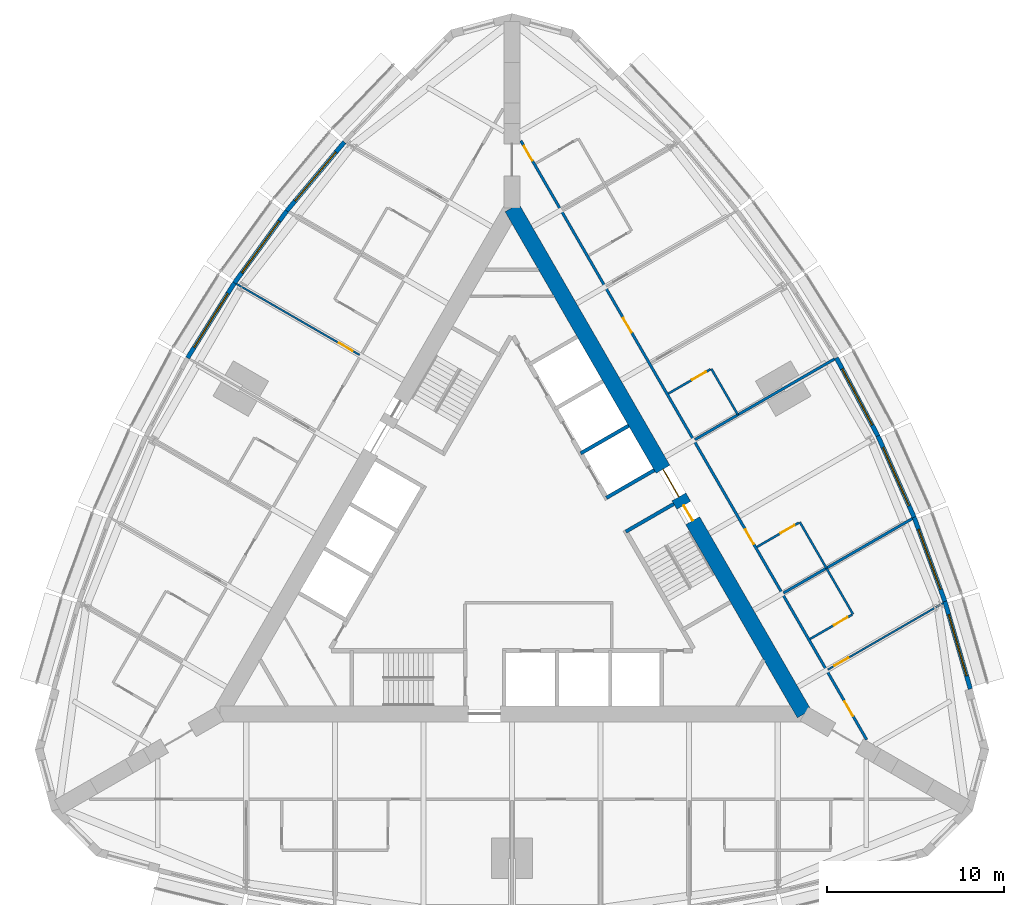
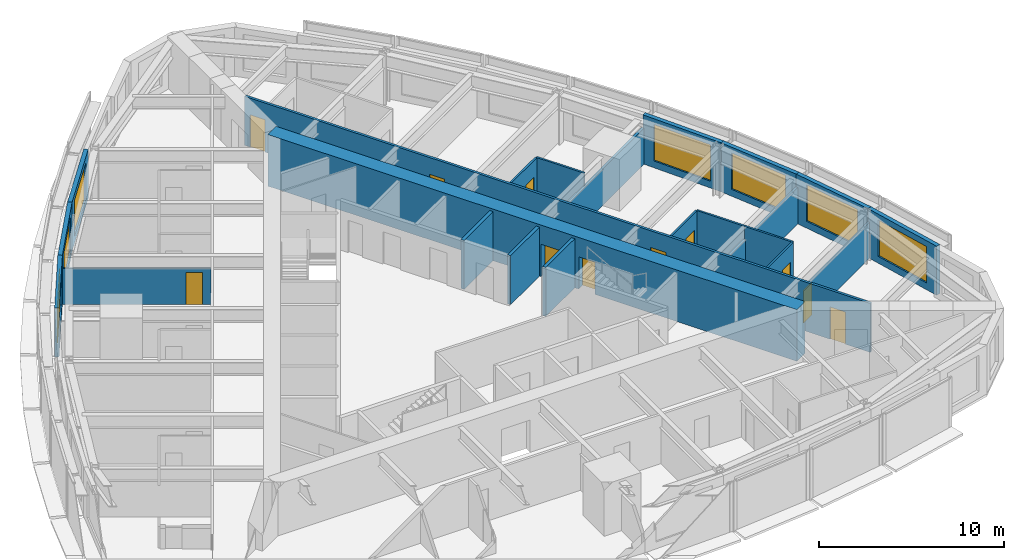
# One storey, part 11 of 14: 22 walls, 11 doors, 7 windows, 18 openings.
"""IFC4 building model written with IfcOpenShell, lengths in metres."""

import ifcopenshell
import ifcopenshell.guid

model = None  # the IFC model being written
_history = None  # IfcOwnerHistory: only IFC2X3 demands one
_inside = {}  # id of a spatial element -> (the spatial element, [elements in it])
_under = {}  # id of a project, library or spatial element -> (it, [spatial elements below it])
_declared = {}  # id of a project -> (the project, [libraries it declares])
_typed = {}  # id of a type object -> (the type object, [elements of that type])
_made_of = {}  # id of a material, layer set ... -> (it, [elements and type objects made of it])


def new_model(schema):
    """Start an empty IFC model of exactly this schema.

    Asked for "IFC4X3", IfcOpenShell would pick the latest addendum, in which some entities
    have other attributes; the version numbers below select the first issue.
    IFC2X3 requires an IfcOwnerHistory on every rooted entity: one is made here for all.
    """
    global model, _history
    if schema == "IFC4X3":
        model = ifcopenshell.file(schema_version=(4, 3, 0, 0))
    else:
        model = ifcopenshell.file(schema=schema)
    _inside.clear()
    _under.clear()
    _declared.clear()
    _typed.clear()
    _made_of.clear()
    _history = None
    if model.schema == "IFC2X3":
        org = make("IfcOrganization", Name="unknown")
        user = make(
            "IfcPersonAndOrganization",
            ThePerson=make("IfcPerson", FamilyName="unknown"),
            TheOrganization=org,
        )
        app = make(
            "IfcApplication",
            ApplicationDeveloper=org,
            Version="unknown",
            ApplicationFullName="unknown",
            ApplicationIdentifier="unknown",
        )
        _history = make(
            "IfcOwnerHistory",
            OwningUser=user,
            OwningApplication=app,
            ChangeAction="ADDED",
            CreationDate=0,
        )
    return model


def make(cls, **values):
    """One entity of the class cls with the attributes given. An attribute that is None is left unset."""
    return model.create_entity(
        cls, **{name: value for name, value in values.items() if value is not None}
    )


def rooted(cls, **values):
    """An entity with a GlobalId (a new one), such as an element, a storey or a relation."""
    return make(cls, GlobalId=ifcopenshell.guid.new(), OwnerHistory=_history, **values)


def si_unit(unit_type, name, prefix=None):
    """IfcSIUnit, for example si_unit("LENGTHUNIT", "METRE", prefix="MILLI")."""
    return make("IfcSIUnit", UnitType=unit_type, Prefix=prefix, Name=name)


def assignment(units):
    """IfcUnitAssignment: the units of a project."""
    return None if units is None else make("IfcUnitAssignment", Units=units)


def point(xyz):
    """IfcCartesianPoint."""
    return None if xyz is None else make("IfcCartesianPoint", Coordinates=xyz)


def direction(xyz):
    """IfcDirection."""
    return None if xyz is None else make("IfcDirection", DirectionRatios=xyz)


def frame(location, z_axis=None, x_axis=None):
    """IfcAxis2Placement3D, a coordinate frame: its origin and axes. An axis left out is left unset."""
    return make(
        "IfcAxis2Placement3D",
        Location=point(location),
        Axis=direction(z_axis),
        RefDirection=direction(x_axis),
    )


def frame_2d(location, x_axis=None):
    """IfcAxis2Placement2D, a coordinate frame in the plane: its origin and x axis."""
    return make(
        "IfcAxis2Placement2D", Location=point(location), RefDirection=direction(x_axis)
    )


def origin():
    """The frame at (0, 0, 0) with its axes left unset."""
    return frame((0.0, 0.0, 0.0))


def place(relative_to, where):
    """IfcLocalPlacement: puts the frame where relative to a parent placement (None: the world)."""
    return make(
        "IfcLocalPlacement", PlacementRelTo=relative_to, RelativePlacement=where
    )


def context(
    kind, dimensions, precision=None, world=None, true_north=None, identifier=None
):
    """IfcGeometricRepresentationContext, for example the 3D "Model" context."""
    return make(
        "IfcGeometricRepresentationContext",
        ContextIdentifier=identifier,
        ContextType=kind,
        CoordinateSpaceDimension=dimensions,
        Precision=precision,
        WorldCoordinateSystem=world,
        TrueNorth=true_north,
    )


def subcontext(parent, identifier, kind, view, scale=None):
    """IfcGeometricRepresentationSubContext, for example "Body" below "Model"."""
    return make(
        "IfcGeometricRepresentationSubContext",
        ContextIdentifier=identifier,
        ContextType=kind,
        ParentContext=parent,
        TargetScale=scale,
        TargetView=view,
    )


def project(units=None, contexts=None):
    """IfcProject with its units and contexts."""
    return rooted(
        "IfcProject",
        Name="project",
        RepresentationContexts=contexts,
        UnitsInContext=assignment(units),
    )


def spatial(cls, under=None, at=None, **own):
    """A site, building, storey or space (cls), placed at a placement, below another one or the project."""
    s = rooted(cls, ObjectPlacement=at, **own)
    if under is not None:
        _under.setdefault(under.id(), (under, []))[1].append(s)
    return s


def profile(cls, at=None, kind="AREA", **sizes):
    """A parametric profile (cls). Its sizes go by their IFC names, for example OverallWidth=200.0."""
    return make(cls, ProfileType=kind, Position=at, **sizes)


def rectangle(**sizes):
    """IfcRectangleProfileDef."""
    return profile("IfcRectangleProfileDef", **sizes)


def extrude(swept, where, along, depth):
    """IfcExtrudedAreaSolid: the profile swept, set in the frame where, extruded along a direction by depth."""
    return make(
        "IfcExtrudedAreaSolid",
        SweptArea=swept,
        Position=where,
        ExtrudedDirection=direction(along),
        Depth=depth,
    )


def shape(context_of_items, identifier, shape_type, items):
    """IfcShapeRepresentation: the items that make up one representation, for example the "Body"."""
    return make(
        "IfcShapeRepresentation",
        ContextOfItems=context_of_items,
        RepresentationIdentifier=identifier,
        RepresentationType=shape_type,
        Items=items,
    )


def material(Name=None, Category=None):
    """IfcMaterial."""
    return make("IfcMaterial", Name=Name, Category=Category)


def layer(
    of_material, thickness, ventilated=None, Name=None, Category=None, Priority=None
):
    """IfcMaterialLayer: one layer of a wall or slab, of a material (None: an air gap)."""
    return make(
        "IfcMaterialLayer",
        Material=of_material,
        LayerThickness=thickness,
        IsVentilated=ventilated,
        Name=Name,
        Category=Category,
        Priority=Priority,
    )


def layer_set(layers, Name=None):
    """IfcMaterialLayerSet."""
    return make("IfcMaterialLayerSet", MaterialLayers=layers, LayerSetName=Name)


def made_of(thing, what):
    """Note that an element or type object is made of a material, layer set ...; save() writes the relation."""
    if what is not None:
        _made_of.setdefault(what.id(), (what, []))[1].append(thing)
    return thing


def type_object(cls, material=None, **own):
    """A type object (cls), such as IfcWallType, which elements share."""
    return made_of(rooted(cls, **own), material)


def element(
    cls,
    number,
    at=None,
    inside=None,
    cuts=None,
    type_object=None,
    material=None,
    context=None,
    identifier="Body",
    shape_type=None,
    held_by="IfcProductDefinitionShape",
    body=None,
    shapes=None,
    **own,
):
    """One element of the class cls, such as IfcWall. Its Tag is "e" and its number.

    at: its placement. inside: the storey or other place that contains it. cuts: it is an
    opening in that element (IfcRelVoidsElement). A single representation is given by context,
    identifier, shape_type and body (its items); several are given by shapes. held_by: the class
    of the entity that holds the representations. save() writes the other relations.
    """
    e = rooted(cls, Tag="e%d" % number, ObjectPlacement=at, **own)
    if body is not None:
        shapes = [shape(context, identifier, shape_type, body)]
    if shapes is not None:
        e.Representation = make(held_by, Representations=shapes)
    if inside is not None:
        _inside.setdefault(inside.id(), (inside, []))[1].append(e)
    if cuts is not None:
        rooted(
            "IfcRelVoidsElement", RelatingBuildingElement=cuts, RelatedOpeningElement=e
        )
    if type_object is not None:
        _typed.setdefault(type_object.id(), (type_object, []))[1].append(e)
    return made_of(e, material)


def fill(opening, filler):
    """IfcRelFillsElement: the door or window that sits in an opening."""
    return rooted(
        "IfcRelFillsElement",
        RelatingOpeningElement=opening,
        RelatedBuildingElement=filler,
    )


def aggregate(whole, parts):
    """IfcRelAggregates: a whole, such as a stair, and the parts it consists of."""
    return rooted("IfcRelAggregates", RelatingObject=whole, RelatedObjects=parts)


def save(model, path):
    """Write the relations noted so far, then the file.

    IfcRelAggregates (storeys below a building ...), IfcRelContainedInSpatialStructure (elements
    in a storey), IfcRelDefinesByType, IfcRelAssociatesMaterial and IfcRelDeclares: one each for
    every whole, place, type object, material and project.
    """
    for whole, parts in _under.values():
        aggregate(whole, parts)
    for where, things in _inside.values():
        rooted(
            "IfcRelContainedInSpatialStructure",
            RelatedElements=things,
            RelatingStructure=where,
        )
    for kind, things in _typed.values():
        rooted("IfcRelDefinesByType", RelatedObjects=things, RelatingType=kind)
    for what, things in _made_of.values():
        rooted("IfcRelAssociatesMaterial", RelatedObjects=things, RelatingMaterial=what)
    for by, libraries in _declared.values():
        rooted("IfcRelDeclares", RelatingContext=by, RelatedDefinitions=libraries)
    model.write(path)


model = new_model("IFC4")

# Units and contexts
model_context = context("Model", 3, precision=1e-05, world=origin(), true_north=direction((0.0, 1.0)))
body_context = subcontext(model_context, "Body", "Model", "MODEL_VIEW")
ifc_project = project(units=[si_unit("LENGTHUNIT", "METRE"), si_unit("AREAUNIT", "SQUARE_METRE"), si_unit("VOLUMEUNIT", "CUBIC_METRE"), si_unit("PLANEANGLEUNIT", "RADIAN"), si_unit("MASSUNIT", "GRAM", prefix="KILO")], contexts=[model_context])

# Site, building, storey
site_placement = place(None, origin())
site = spatial("IfcSite", under=ifc_project, at=site_placement, CompositionType="ELEMENT")
building_placement = place(site_placement, origin())
building = spatial("IfcBuilding", under=site, at=building_placement, Name="Trikona Tower", CompositionType="ELEMENT")
storey_placement = place(building_placement, frame((0.0, 0.0, 182.699951171875)))
storey = spatial("IfcBuildingStorey", under=building, at=storey_placement, Name="L49", CompositionType="ELEMENT", Elevation=182.699951171875)

# Wall
ifc_material_1 = material(Name="Metal stud and cement board", Category="gypsum")
ifc_layer_1 = layer(ifc_material_1, 0.1201171875)
ifc_layer_set_1 = layer_set([ifc_layer_1], Name="Bathroom wall 120")
wall_type_1 = type_object("IfcWallType", Name="Bathroom wall 120", PredefinedType="PLUMBINGWALL", material=ifc_layer_set_1)
wall_1_placement = place(storey_placement, frame((19.25341796875, -3.895263671875, 0.0), z_axis=(0.0, 0.0, 1.0), x_axis=(-0.499990139034, 0.866031096941, 0.0)))
element("IfcWall", 1, at=wall_1_placement, inside=storey, type_object=wall_type_1, Name="Bathroom wall 4905.1", PredefinedType="PLUMBINGWALL", context=body_context, shape_type="SweptSolid", body=[
    extrude(rectangle(XDim=3.0, YDim=0.1201171875, at=frame_2d((1.5, 0.0))), origin(), (0.0, 0.0, 1.0), 3.235107421875),
])

# Wall, opening, door
wall_2_placement = place(storey_placement, frame((16.82861328125, -5.295166015625, 0.0), z_axis=(0.0, 0.0, 1.0), x_axis=(0.866035715982, 0.499982138324, 0.0)))
wall_2 = element("IfcWall", 2, at=wall_2_placement, inside=storey, type_object=wall_type_1, Name="Bathroom wall 4905.1", PredefinedType="PLUMBINGWALL", context=body_context, shape_type="SweptSolid", body=[
    extrude(rectangle(XDim=2.73974609375, YDim=0.1201171875, at=frame_2d((1.369873046875, 0.0))), origin(), (0.0, 0.0, 1.0), 3.235107421875),
])
opening_1_placement = place(wall_2_placement, frame((1.550048828125, 0.0, 0.0)))
opening_1 = element("IfcOpeningElement", 3, at=opening_1_placement, cuts=wall_2, Name="Opening D2", PredefinedType="OPENING", context=body_context, shape_type="SweptSolid", body=[
    extrude(rectangle(XDim=0.89990234375, YDim=2.1298828125, at=frame_2d((0.449951171875, 1.06494140625))), frame((0.0, 0.070068359375, 0.0), z_axis=(0.0, -1.0, 0.0), x_axis=(1.0, 0.0, 0.0)), (0.0, 0.0, 1.0), 0.14013671875),
])
ifc_material_2 = material(Name="Steel door frame with solid-core timber leaf", Category="steel")
door_type_1 = type_object("IfcDoorType", Name="Bathroom door 900x2130", OperationType="SLIDING_TO_LEFT", PredefinedType="DOOR", material=ifc_material_2)
door_1_placement = place(opening_1_placement, origin())
door_1 = element("IfcDoor", 4, at=door_1_placement, inside=storey, type_object=door_type_1, Name="Bathroom door 4905.1", OperationType="SLIDING_TO_LEFT", OverallHeight=2.1298828125, OverallWidth=0.89990234375, PredefinedType="DOOR", context=body_context, shape_type="SweptSolid", body=[
    extrude(rectangle(XDim=0.89990234375, YDim=2.1298828125, at=frame_2d((0.449951171875, 1.06494140625))), frame((0.0, 0.02490234375, 0.0), z_axis=(0.0, -1.0, 0.0), x_axis=(1.0, 0.0, 0.0)), (0.0, 0.0, 1.0), 0.050048828125),
])
fill(opening_1, door_1)

# Wall
wall_3_placement = place(storey_placement, frame((17.75341796875, -1.297119140625, 0.0), z_axis=(0.0, 0.0, 1.0), x_axis=(-0.499990139034, 0.866031096941, 0.0)))
element("IfcWall", 5, at=wall_3_placement, inside=storey, type_object=wall_type_1, Name="Bathroom wall 4906", PredefinedType="PLUMBINGWALL", context=body_context, shape_type="SweptSolid", body=[
    extrude(rectangle(XDim=3.0, YDim=0.1201171875, at=frame_2d((1.5, 0.0))), origin(), (0.0, 0.0, 1.0), 3.235107421875),
])

# Wall, opening, door
wall_4_placement = place(storey_placement, frame((13.82861328125, -0.09912109375, 0.0), z_axis=(0.0, 0.0, 1.0), x_axis=(0.865997131366, 0.500048966069, 0.0)))
wall_4 = element("IfcWall", 6, at=wall_4_placement, inside=storey, type_object=wall_type_1, Name="Bathroom wall 4906", PredefinedType="PLUMBINGWALL", context=body_context, shape_type="SweptSolid", body=[
    extrude(rectangle(XDim=2.739990234375, YDim=0.1201171875, at=frame_2d((1.3701171875, 0.0))), origin(), (0.0, 0.0, 1.0), 3.235107421875),
])
opening_2_placement = place(wall_4_placement, frame((1.550048828125, 0.0, 0.0)))
opening_2 = element("IfcOpeningElement", 7, at=opening_2_placement, cuts=wall_4, Name="Opening D2", PredefinedType="OPENING", context=body_context, shape_type="SweptSolid", body=[
    extrude(rectangle(XDim=0.89990234375, YDim=2.1298828125, at=frame_2d((0.449951171875, 1.06494140625))), frame((0.0, 0.070068359375, 0.0), z_axis=(0.0, -1.0, 0.0), x_axis=(1.0, 0.0, 0.0)), (0.0, 0.0, 1.0), 0.14013671875),
])
door_2_placement = place(opening_2_placement, origin())
door_2 = element("IfcDoor", 8, at=door_2_placement, inside=storey, type_object=door_type_1, Name="Bathroom door 4906", OperationType="SLIDING_TO_LEFT", OverallHeight=2.1298828125, OverallWidth=0.89990234375, PredefinedType="DOOR", context=body_context, shape_type="SweptSolid", body=[
    extrude(rectangle(XDim=0.89990234375, YDim=2.1298828125, at=frame_2d((0.449951171875, 1.06494140625))), frame((0.0, 0.02490234375, 0.0), z_axis=(0.0, -1.0, 0.0), x_axis=(1.0, 0.0, 0.0)), (0.0, 0.0, 1.0), 0.050048828125),
])
fill(opening_2, door_2)

# Wall
wall_5_placement = place(storey_placement, frame((12.75341796875, 7.363037109375, 0.0), z_axis=(0.0, 0.0, 1.0), x_axis=(-0.499990139034, 0.866031096941, 0.0)))
element("IfcWall", 9, at=wall_5_placement, inside=storey, type_object=wall_type_1, Name="Bathroom wall 4907.1", PredefinedType="PLUMBINGWALL", context=body_context, shape_type="SweptSolid", body=[
    extrude(rectangle(XDim=3.0, YDim=0.1201171875, at=frame_2d((1.5, 0.0))), origin(), (0.0, 0.0, 1.0), 3.235107421875),
])

# Wall, opening, door
wall_6_placement = place(storey_placement, frame((8.82861328125, 8.561279296875, 0.0), z_axis=(0.0, 0.0, 1.0), x_axis=(0.866035715982, 0.499982138324, 0.0)))
wall_6 = element("IfcWall", 10, at=wall_6_placement, inside=storey, type_object=wall_type_1, Name="Bathroom wall 4907.1", PredefinedType="PLUMBINGWALL", context=body_context, shape_type="SweptSolid", body=[
    extrude(rectangle(XDim=2.73974609375, YDim=0.1201171875, at=frame_2d((1.369873046875, 0.0))), origin(), (0.0, 0.0, 1.0), 3.235107421875),
])
opening_3_placement = place(wall_6_placement, frame((1.550048828125, 0.0, 0.0)))
opening_3 = element("IfcOpeningElement", 11, at=opening_3_placement, cuts=wall_6, Name="Opening D2", PredefinedType="OPENING", context=body_context, shape_type="SweptSolid", body=[
    extrude(rectangle(XDim=0.89990234375, YDim=2.1298828125, at=frame_2d((0.449951171875, 1.06494140625))), frame((0.0, 0.070068359375, 0.0), z_axis=(0.0, -1.0, 0.0), x_axis=(1.0, 0.0, 0.0)), (0.0, 0.0, 1.0), 0.14013671875),
])
door_3_placement = place(opening_3_placement, origin())
door_3 = element("IfcDoor", 12, at=door_3_placement, inside=storey, type_object=door_type_1, Name="Bathroom door 4907.1", OperationType="SLIDING_TO_LEFT", OverallHeight=2.1298828125, OverallWidth=0.89990234375, PredefinedType="DOOR", context=body_context, shape_type="SweptSolid", body=[
    extrude(rectangle(XDim=0.89990234375, YDim=2.1298828125, at=frame_2d((0.449951171875, 1.06494140625))), frame((0.0, 0.02490234375, 0.0), z_axis=(0.0, -1.0, 0.0), x_axis=(1.0, 0.0, 0.0)), (0.0, 0.0, 1.0), 0.050048828125),
])
fill(opening_3, door_3)

# Wall, openings, doors
ifc_material_3 = material(Name="Concrete f'c 10000 psi", Category="concrete")
ifc_layer_2 = layer(ifc_material_3, 0.89990234375)
ifc_layer_set_2 = layer_set([ifc_layer_2], Name="Core wall 900")
wall_type_2 = type_object("IfcWallType", Name="Core wall 900", PredefinedType="SHEAR", material=ifc_layer_set_2)
wall_7_placement = place(storey_placement, frame((16.5, -9.5263671875, 0.0), z_axis=(0.0, 0.0, 1.0), x_axis=(-0.499999749417, 0.866025548458, 0.0)))
wall_7 = element("IfcWall", 13, at=wall_7_placement, inside=storey, type_object=wall_type_2, Name="Core wall B", PredefinedType="SHEAR", context=body_context, shape_type="SweptSolid", body=[
    extrude(rectangle(XDim=33.0, YDim=0.89990234375, at=frame_2d((16.5, 0.0))), origin(), (0.0, 0.0, 1.0), 3.400146484375),
])
opening_4_placement = place(wall_7_placement, frame((14.14990234375, 0.0, 0.0)))
opening_4 = element("IfcOpeningElement", 14, at=opening_4_placement, cuts=wall_7, Name="Opening D6", PredefinedType="OPENING", context=body_context, shape_type="SweptSolid", body=[
    extrude(rectangle(XDim=1.800048828125, YDim=2.1298828125, at=frame_2d((0.89990234375, 1.06494140625))), frame((0.0, 0.4599609375, 0.0), z_axis=(0.0, -1.0, 0.0), x_axis=(1.0, 0.0, 0.0)), (0.0, 0.0, 1.0), 0.919921875),
])
opening_5_placement = place(wall_7_placement, frame((12.60009765625, 0.0, 0.0)))
opening_5 = element("IfcOpeningElement", 15, at=opening_5_placement, cuts=wall_7, Name="Opening D5", PredefinedType="OPENING", context=body_context, shape_type="SweptSolid", body=[
    extrude(rectangle(XDim=1.0, YDim=2.1298828125, at=frame_2d((0.5, 1.06494140625))), frame((0.0, 0.4599609375, 0.0), z_axis=(0.0, -1.0, 0.0), x_axis=(1.0, 0.0, 0.0)), (0.0, 0.0, 1.0), 0.919921875),
])
ifc_material_4 = material(Name="Hollow metal door and frame", Category="steel")
door_type_2 = type_object("IfcDoorType", Name="Lobby door pair 1800x2130", OperationType="DOUBLE_DOOR_SINGLE_SWING", PredefinedType="DOOR", material=ifc_material_4)
door_4_placement = place(opening_4_placement, origin())
door_4 = element("IfcDoor", 16, at=door_4_placement, inside=storey, type_object=door_type_2, Name="Lift lobby door B", OperationType="DOUBLE_DOOR_SINGLE_SWING", OverallHeight=2.1298828125, OverallWidth=1.800048828125, PredefinedType="DOOR", context=body_context, shape_type="SweptSolid", body=[
    extrude(rectangle(XDim=1.800048828125, YDim=2.1298828125, at=frame_2d((0.89990234375, 1.06494140625))), frame((0.0, 0.02490234375, 0.0), z_axis=(0.0, -1.0, 0.0), x_axis=(1.0, 0.0, 0.0)), (0.0, 0.0, 1.0), 0.050048828125),
])
fill(opening_4, door_4)
ifc_material_5 = material(Name="Hollow metal door and frame", Category="steel")
door_type_3 = type_object("IfcDoorType", Name="Stair door 1000x2130", OperationType="SINGLE_SWING_LEFT", PredefinedType="DOOR", material=ifc_material_5)
door_5_placement = place(opening_5_placement, origin())
door_5 = element("IfcDoor", 17, at=door_5_placement, inside=storey, type_object=door_type_3, Name="Stair B door", OperationType="SINGLE_SWING_RIGHT", OverallHeight=2.1298828125, OverallWidth=1.0, PredefinedType="DOOR", context=body_context, shape_type="SweptSolid", body=[
    extrude(rectangle(XDim=1.0, YDim=2.1298828125, at=frame_2d((0.5, 1.06494140625))), frame((0.0, 0.02490234375, 0.0), z_axis=(0.0, -1.0, 0.0), x_axis=(1.0, 0.0, 0.0)), (0.0, 0.0, 1.0), 0.050048828125),
])
fill(opening_5, door_5)

ifc_material_6 = material(Name="Metal stud and gypsum board, 1-hour", Category="gypsum")
ifc_layer_3 = layer(ifc_material_6, 0.14990234375)
ifc_layer_set_3 = layer_set([ifc_layer_3], Name="Corridor wall 150")
wall_type_3 = type_object("IfcWallType", Name="Corridor wall 150", PredefinedType="PARTITIONING", material=ifc_layer_set_3)
wall_8_placement = place(storey_placement, frame((20.027099609375, -10.9853515625, 0.0), z_axis=(0.0, 0.0, 1.0), x_axis=(-0.500001677587, 0.866024435227, 0.0)))
wall_8 = element("IfcWall", 18, at=wall_8_placement, inside=storey, type_object=wall_type_3, Name="Corridor wall L49-2", PredefinedType="PARTITIONING", context=body_context, shape_type="SweptSolid", body=[
    extrude(rectangle(XDim=39.053955078125, YDim=0.14990234375, at=frame_2d((19.52685546875, 0.0))), origin(), (0.0, 0.0, 1.0), 3.235107421875),
])
opening_6_placement = place(wall_8_placement, frame((1.558349609375, 0.0, 0.0)))
opening_6 = element("IfcOpeningElement", 19, at=opening_6_placement, cuts=wall_8, Name="Opening D1", PredefinedType="OPENING", context=body_context, shape_type="SweptSolid", body=[
    extrude(rectangle(XDim=0.949951171875, YDim=2.1298828125, at=frame_2d((0.47509765625, 1.06494140625))), frame((0.0, 0.0849609375, 0.0), z_axis=(0.0, -1.0, 0.0), x_axis=(1.0, 0.0, 0.0)), (0.0, 0.0, 1.0), 0.169921875),
])
opening_7_placement = place(wall_8_placement, frame((12.751953125, 0.0, 0.0)))
opening_7 = element("IfcOpeningElement", 20, at=opening_7_placement, cuts=wall_8, Name="Opening D1", PredefinedType="OPENING", context=body_context, shape_type="SweptSolid", body=[
    extrude(rectangle(XDim=0.949951171875, YDim=2.1298828125, at=frame_2d((0.47509765625, 1.06494140625))), frame((0.0, 0.0849609375, 0.0), z_axis=(0.0, -1.0, 0.0), x_axis=(1.0, 0.0, 0.0)), (0.0, 0.0, 1.0), 0.169921875),
])
opening_8_placement = place(wall_8_placement, frame((26.552001953125, 0.0, 0.0)))
opening_8 = element("IfcOpeningElement", 21, at=opening_8_placement, cuts=wall_8, Name="Opening D1", PredefinedType="OPENING", context=body_context, shape_type="SweptSolid", body=[
    extrude(rectangle(XDim=0.949951171875, YDim=2.1298828125, at=frame_2d((0.47509765625, 1.06494140625))), frame((0.0, 0.0849609375, 0.0), z_axis=(0.0, -1.0, 0.0), x_axis=(1.0, 0.0, 0.0)), (0.0, 0.0, 1.0), 0.169921875),
])
opening_9_placement = place(wall_8_placement, frame((37.751953125, 0.0, 0.0)))
opening_9 = element("IfcOpeningElement", 22, at=opening_9_placement, cuts=wall_8, Name="Opening D1", PredefinedType="OPENING", context=body_context, shape_type="SweptSolid", body=[
    extrude(rectangle(XDim=0.949951171875, YDim=2.1298828125, at=frame_2d((0.47509765625, 1.06494140625))), frame((0.0, 0.0849609375, 0.0), z_axis=(0.0, -1.0, 0.0), x_axis=(1.0, 0.0, 0.0)), (0.0, 0.0, 1.0), 0.169921875),
])
ifc_material_7 = material(Name="Steel door frame with solid-core timber leaf", Category="steel")
door_type_4 = type_object("IfcDoorType", Name="Guest room door 950x2130", OperationType="SINGLE_SWING_LEFT", PredefinedType="DOOR", material=ifc_material_7)
door_6_placement = place(opening_6_placement, origin())
door_6 = element("IfcDoor", 23, at=door_6_placement, inside=storey, type_object=door_type_4, Name="Room door 4905", OperationType="SINGLE_SWING_LEFT", OverallHeight=2.1298828125, OverallWidth=0.949951171875, PredefinedType="DOOR", context=body_context, shape_type="SweptSolid", body=[
    extrude(rectangle(XDim=0.949951171875, YDim=2.1298828125, at=frame_2d((0.47509765625, 1.06494140625))), frame((0.0, 0.02490234375, 0.0), z_axis=(0.0, -1.0, 0.0), x_axis=(1.0, 0.0, 0.0)), (0.0, 0.0, 1.0), 0.050048828125),
])
fill(opening_6, door_6)
door_7_placement = place(opening_7_placement, origin())
door_7 = element("IfcDoor", 24, at=door_7_placement, inside=storey, type_object=door_type_4, Name="Room door 4906", OperationType="SINGLE_SWING_RIGHT", OverallHeight=2.1298828125, OverallWidth=0.949951171875, PredefinedType="DOOR", context=body_context, shape_type="SweptSolid", body=[
    extrude(rectangle(XDim=0.949951171875, YDim=2.1298828125, at=frame_2d((0.47509765625, 1.06494140625))), frame((0.0, 0.02490234375, 0.0), z_axis=(0.0, -1.0, 0.0), x_axis=(1.0, 0.0, 0.0)), (0.0, 0.0, 1.0), 0.050048828125),
])
fill(opening_7, door_7)
door_8_placement = place(opening_8_placement, origin())
door_8 = element("IfcDoor", 25, at=door_8_placement, inside=storey, type_object=door_type_4, Name="Room door 4907", OperationType="SINGLE_SWING_LEFT", OverallHeight=2.1298828125, OverallWidth=0.949951171875, PredefinedType="DOOR", context=body_context, shape_type="SweptSolid", body=[
    extrude(rectangle(XDim=0.949951171875, YDim=2.1298828125, at=frame_2d((0.47509765625, 1.06494140625))), frame((0.0, 0.02490234375, 0.0), z_axis=(0.0, -1.0, 0.0), x_axis=(1.0, 0.0, 0.0)), (0.0, 0.0, 1.0), 0.050048828125),
])
fill(opening_8, door_8)
door_9_placement = place(opening_9_placement, origin())
door_9 = element("IfcDoor", 26, at=door_9_placement, inside=storey, type_object=door_type_4, Name="Room door 4908", OperationType="SINGLE_SWING_RIGHT", OverallHeight=2.1298828125, OverallWidth=0.949951171875, PredefinedType="DOOR", context=body_context, shape_type="SweptSolid", body=[
    extrude(rectangle(XDim=0.949951171875, YDim=2.1298828125, at=frame_2d((0.47509765625, 1.06494140625))), frame((0.0, 0.02490234375, 0.0), z_axis=(0.0, -1.0, 0.0), x_axis=(1.0, 0.0, 0.0)), (0.0, 0.0, 1.0), 0.050048828125),
])
fill(opening_9, door_9)

# Wall, opening, window
ifc_material_8 = material(Name="Insulated precast concrete spandrel panel", Category="concrete")
ifc_layer_4 = layer(ifc_material_8, 0.25)
ifc_layer_set_4 = layer_set([ifc_layer_4], Name="Inner skin wall 250")
wall_type_4 = type_object("IfcWallType", Name="Inner skin wall 250", PredefinedType="STANDARD", material=ifc_layer_set_4)
wall_9_placement = place(storey_placement, frame((25.8798828125, -8.117919921875, 0.0), z_axis=(0.0, 0.0, 1.0), x_axis=(-0.279528287117, 0.960137457191, 0.0)))
wall_9 = element("IfcWall", 27, at=wall_9_placement, inside=storey, type_object=wall_type_4, Name="External wall L49-12", PredefinedType="STANDARD", context=body_context, shape_type="SweptSolid", body=[
    extrude(rectangle(XDim=5.14794921875, YDim=0.25, at=frame_2d((2.573974609375, 0.0))), origin(), (0.0, 0.0, 1.0), 3.235107421875),
])
opening_10_placement = place(wall_9_placement, frame((0.77392578125, 0.0, 0.449951171875)))
opening_10 = element("IfcOpeningElement", 28, at=opening_10_placement, cuts=wall_9, Name="Opening W3624", PredefinedType="OPENING", context=body_context, shape_type="SweptSolid", body=[
    extrude(rectangle(XDim=3.60009765625, YDim=2.39990234375, at=frame_2d((1.800048828125, 1.199951171875))), frame((0.0, 0.135009765625, 0.0), z_axis=(0.0, -1.0, 0.0), x_axis=(1.0, 0.0, 0.0)), (0.0, 0.0, 1.0), 0.27001953125),
])
ifc_material_9 = material(Name="Aluminium-framed double glazing", Category="aluminium")
window_type = type_object("IfcWindowType", Name="Window 3600x2400", PartitioningType="SINGLE_PANEL", PredefinedType="WINDOW", material=ifc_material_9)
window_1_placement = place(opening_10_placement, origin())
window_1 = element("IfcWindow", 29, at=window_1_placement, inside=storey, type_object=window_type, Name="Window 4905", OverallHeight=2.39990234375, OverallWidth=3.60009765625, PartitioningType="SINGLE_PANEL", PredefinedType="WINDOW", context=body_context, shape_type="SweptSolid", body=[
    extrude(rectangle(XDim=3.60009765625, YDim=2.39990234375, at=frame_2d((1.800048828125, 1.199951171875))), frame((0.0, 0.030029296875, 0.0), z_axis=(0.0, -1.0, 0.0), x_axis=(1.0, 0.0, 0.0)), (0.0, 0.0, 1.0), 0.06005859375),
])
fill(opening_10, window_1)

wall_10_placement = place(storey_placement, frame((24.443603515625, -3.18310546875, 0.0), z_axis=(0.0, 0.0, 1.0), x_axis=(-0.343225593282, 0.939252996863, 0.0)))
wall_10 = element("IfcWall", 30, at=wall_10_placement, inside=storey, type_object=wall_type_4, Name="External wall L49-13", PredefinedType="STANDARD", context=body_context, shape_type="SweptSolid", body=[
    extrude(rectangle(XDim=5.075927734375, YDim=0.25, at=frame_2d((2.5380859375, 0.0))), origin(), (0.0, 0.0, 1.0), 3.235107421875),
])
opening_11_placement = place(wall_10_placement, frame((0.738037109375, 0.0, 0.449951171875)))
opening_11 = element("IfcOpeningElement", 31, at=opening_11_placement, cuts=wall_10, Name="Opening W3624", PredefinedType="OPENING", context=body_context, shape_type="SweptSolid", body=[
    extrude(rectangle(XDim=3.60009765625, YDim=2.39990234375, at=frame_2d((1.800048828125, 1.199951171875))), frame((0.0, 0.135009765625, 0.0), z_axis=(0.0, -1.0, 0.0), x_axis=(1.0, 0.0, 0.0)), (0.0, 0.0, 1.0), 0.27001953125),
])
window_2_placement = place(opening_11_placement, origin())
window_2 = element("IfcWindow", 32, at=window_2_placement, inside=storey, type_object=window_type, Name="Window 4905.1", OverallHeight=2.39990234375, OverallWidth=3.60009765625, PartitioningType="SINGLE_PANEL", PredefinedType="WINDOW", context=body_context, shape_type="SweptSolid", body=[
    extrude(rectangle(XDim=3.60009765625, YDim=2.39990234375, at=frame_2d((1.800048828125, 1.199951171875))), frame((0.0, 0.030029296875, 0.0), z_axis=(0.0, -1.0, 0.0), x_axis=(1.0, 0.0, 0.0)), (0.0, 0.0, 1.0), 0.06005859375),
])
fill(opening_11, window_2)

wall_11_placement = place(storey_placement, frame((22.70458984375, 1.576416015625, 0.0), z_axis=(0.0, 0.0, 1.0), x_axis=(-0.406832200364, 0.913502906808, 0.0)))
wall_11 = element("IfcWall", 33, at=wall_11_placement, inside=storey, type_object=wall_type_4, Name="External wall L49-14", PredefinedType="STANDARD", context=body_context, shape_type="SweptSolid", body=[
    extrude(rectangle(XDim=5.027587890625, YDim=0.25, at=frame_2d((2.513671875, 0.0))), origin(), (0.0, 0.0, 1.0), 3.235107421875),
])
opening_12_placement = place(wall_11_placement, frame((0.713623046875, 0.0, 0.449951171875)))
opening_12 = element("IfcOpeningElement", 34, at=opening_12_placement, cuts=wall_11, Name="Opening W3624", PredefinedType="OPENING", context=body_context, shape_type="SweptSolid", body=[
    extrude(rectangle(XDim=3.60009765625, YDim=2.39990234375, at=frame_2d((1.800048828125, 1.199951171875))), frame((0.0, 0.135009765625, 0.0), z_axis=(0.0, -1.0, 0.0), x_axis=(1.0, 0.0, 0.0)), (0.0, 0.0, 1.0), 0.27001953125),
])
window_3_placement = place(opening_12_placement, origin())
window_3 = element("IfcWindow", 35, at=window_3_placement, inside=storey, type_object=window_type, Name="Window 4906", OverallHeight=2.39990234375, OverallWidth=3.60009765625, PartitioningType="SINGLE_PANEL", PredefinedType="WINDOW", context=body_context, shape_type="SweptSolid", body=[
    extrude(rectangle(XDim=3.60009765625, YDim=2.39990234375, at=frame_2d((1.800048828125, 1.199951171875))), frame((0.0, 0.030029296875, 0.0), z_axis=(0.0, -1.0, 0.0), x_axis=(1.0, 0.0, 0.0)), (0.0, 0.0, 1.0), 0.06005859375),
])
fill(opening_12, window_3)

wall_12_placement = place(storey_placement, frame((20.662841796875, 6.161376953125, 0.0), z_axis=(0.0, 0.0, 1.0), x_axis=(-0.469404966864, 0.882982999317, 0.0)))
wall_12 = element("IfcWall", 36, at=wall_12_placement, inside=storey, type_object=wall_type_4, Name="External wall L49-15", PredefinedType="STANDARD", context=body_context, shape_type="SweptSolid", body=[
    extrude(rectangle(XDim=5.0029296875, YDim=0.25, at=frame_2d((2.50146484375, 0.0))), origin(), (0.0, 0.0, 1.0), 3.235107421875),
])
opening_13_placement = place(wall_12_placement, frame((0.701416015625, 0.0, 0.449951171875)))
opening_13 = element("IfcOpeningElement", 37, at=opening_13_placement, cuts=wall_12, Name="Opening W3624", PredefinedType="OPENING", context=body_context, shape_type="SweptSolid", body=[
    extrude(rectangle(XDim=3.60009765625, YDim=2.39990234375, at=frame_2d((1.800048828125, 1.199951171875))), frame((0.0, 0.135009765625, 0.0), z_axis=(0.0, -1.0, 0.0), x_axis=(1.0, 0.0, 0.0)), (0.0, 0.0, 1.0), 0.27001953125),
])
window_4_placement = place(opening_13_placement, origin())
window_4 = element("IfcWindow", 38, at=window_4_placement, inside=storey, type_object=window_type, Name="Window 4906", OverallHeight=2.39990234375, OverallWidth=3.60009765625, PartitioningType="SINGLE_PANEL", PredefinedType="WINDOW", context=body_context, shape_type="SweptSolid", body=[
    extrude(rectangle(XDim=3.60009765625, YDim=2.39990234375, at=frame_2d((1.800048828125, 1.199951171875))), frame((0.0, 0.030029296875, 0.0), z_axis=(0.0, -1.0, 0.0), x_axis=(1.0, 0.0, 0.0)), (0.0, 0.0, 1.0), 0.06005859375),
])
fill(opening_13, window_4)

wall_13_placement = place(storey_placement, frame((-9.465087890625, 22.76025390625, 0.0), z_axis=(0.0, 0.0, 1.0), x_axis=(-0.641810386606, -0.766863369607, 0.0)))
wall_13 = element("IfcWall", 39, at=wall_13_placement, inside=storey, type_object=wall_type_4, Name="External wall L49-25", PredefinedType="STANDARD", context=body_context, shape_type="SweptSolid", body=[
    extrude(rectangle(XDim=5.075927734375, YDim=0.25, at=frame_2d((2.5380859375, 0.0))), origin(), (0.0, 0.0, 1.0), 3.235107421875),
])
opening_14_placement = place(wall_13_placement, frame((0.738037109375, 0.0, 0.449951171875)))
opening_14 = element("IfcOpeningElement", 40, at=opening_14_placement, cuts=wall_13, Name="Opening W3624", PredefinedType="OPENING", context=body_context, shape_type="SweptSolid", body=[
    extrude(rectangle(XDim=3.60009765625, YDim=2.39990234375, at=frame_2d((1.800048828125, 1.199951171875))), frame((0.0, 0.135009765625, 0.0), z_axis=(0.0, -1.0, 0.0), x_axis=(1.0, 0.0, 0.0)), (0.0, 0.0, 1.0), 0.27001953125),
])
window_5_placement = place(opening_14_placement, origin())
window_5 = element("IfcWindow", 41, at=window_5_placement, inside=storey, type_object=window_type, Name="Window 4909.1", OverallHeight=2.39990234375, OverallWidth=3.60009765625, PartitioningType="SINGLE_PANEL", PredefinedType="WINDOW", context=body_context, shape_type="SweptSolid", body=[
    extrude(rectangle(XDim=3.60009765625, YDim=2.39990234375, at=frame_2d((1.800048828125, 1.199951171875))), frame((0.0, 0.030029296875, 0.0), z_axis=(0.0, -1.0, 0.0), x_axis=(1.0, 0.0, 0.0)), (0.0, 0.0, 1.0), 0.06005859375),
])
fill(opening_14, window_5)

wall_14_placement = place(storey_placement, frame((-12.717529296875, 18.87451171875, 0.0), z_axis=(0.0, 0.0, 1.0), x_axis=(-0.587669188412, -0.809101307001, 0.0)))
wall_14 = element("IfcWall", 42, at=wall_14_placement, inside=storey, type_object=wall_type_4, Name="External wall L49-26", PredefinedType="STANDARD", context=body_context, shape_type="SweptSolid", body=[
    extrude(rectangle(XDim=5.027587890625, YDim=0.25, at=frame_2d((2.513671875, 0.0))), origin(), (0.0, 0.0, 1.0), 3.235107421875),
])
opening_15_placement = place(wall_14_placement, frame((0.7138671875, 0.0, 0.449951171875)))
opening_15 = element("IfcOpeningElement", 43, at=opening_15_placement, cuts=wall_14, Name="Opening W3624", PredefinedType="OPENING", context=body_context, shape_type="SweptSolid", body=[
    extrude(rectangle(XDim=3.60009765625, YDim=2.39990234375, at=frame_2d((1.800048828125, 1.199951171875))), frame((0.0, 0.135009765625, 0.0), z_axis=(0.0, -1.0, 0.0), x_axis=(1.0, 0.0, 0.0)), (0.0, 0.0, 1.0), 0.27001953125),
])
window_6_placement = place(opening_15_placement, origin())
window_6 = element("IfcWindow", 44, at=window_6_placement, inside=storey, type_object=window_type, Name="Window 4910.1", OverallHeight=2.39990234375, OverallWidth=3.60009765625, PartitioningType="SINGLE_PANEL", PredefinedType="WINDOW", context=body_context, shape_type="SweptSolid", body=[
    extrude(rectangle(XDim=3.60009765625, YDim=2.39990234375, at=frame_2d((1.800048828125, 1.199951171875))), frame((0.0, 0.030029296875, 0.0), z_axis=(0.0, -1.0, 0.0), x_axis=(1.0, 0.0, 0.0)), (0.0, 0.0, 1.0), 0.06005859375),
])
fill(opening_15, window_6)

wall_15_placement = place(storey_placement, frame((-15.667236328125, 14.81396484375, 0.0), z_axis=(0.0, 0.0, 1.0), x_axis=(-0.529990167382, -0.84800378683, 0.0)))
wall_15 = element("IfcWall", 45, at=wall_15_placement, inside=storey, type_object=wall_type_4, Name="External wall L49-27", PredefinedType="STANDARD", context=body_context, shape_type="SweptSolid", body=[
    extrude(rectangle(XDim=5.003173828125, YDim=0.25, at=frame_2d((2.50146484375, 0.0))), origin(), (0.0, 0.0, 1.0), 3.235107421875),
])
opening_16_placement = place(wall_15_placement, frame((0.701416015625, 0.0, 0.449951171875)))
opening_16 = element("IfcOpeningElement", 46, at=opening_16_placement, cuts=wall_15, Name="Opening W3624", PredefinedType="OPENING", context=body_context, shape_type="SweptSolid", body=[
    extrude(rectangle(XDim=3.60009765625, YDim=2.39990234375, at=frame_2d((1.800048828125, 1.199951171875))), frame((0.0, 0.135009765625, 0.0), z_axis=(0.0, -1.0, 0.0), x_axis=(1.0, 0.0, 0.0)), (0.0, 0.0, 1.0), 0.27001953125),
])
window_7_placement = place(opening_16_placement, origin())
window_7 = element("IfcWindow", 47, at=window_7_placement, inside=storey, type_object=window_type, Name="Window 4910", OverallHeight=2.39990234375, OverallWidth=3.60009765625, PartitioningType="SINGLE_PANEL", PredefinedType="WINDOW", context=body_context, shape_type="SweptSolid", body=[
    extrude(rectangle(XDim=3.60009765625, YDim=2.39990234375, at=frame_2d((1.800048828125, 1.199951171875))), frame((0.0, 0.030029296875, 0.0), z_axis=(0.0, -1.0, 0.0), x_axis=(1.0, 0.0, 0.0)), (0.0, 0.0, 1.0), 0.06005859375),
])
fill(opening_16, window_7)

# Walls
ifc_material_10 = material(Name="Metal stud and gypsum board, 1-hour acoustic", Category="gypsum")
ifc_layer_5 = layer(ifc_material_10, 0.14990234375)
ifc_layer_set_5 = layer_set([ifc_layer_5], Name="Party wall 150")
wall_type_5 = type_object("IfcWallType", Name="Party wall 150", PredefinedType="PARTITIONING", material=ifc_layer_set_5)
wall_16_placement = place(storey_placement, frame((15.32861328125, -2.697021484375, 0.0), z_axis=(0.0, 0.0, 1.0), x_axis=(0.866024316602, 0.50000188305, 0.0)))
element("IfcWall", 48, at=wall_16_placement, inside=storey, type_object=wall_type_5, Name="Partition L49 F2 u-10", PredefinedType="PARTITIONING", context=body_context, shape_type="SweptSolid", body=[
    extrude(rectangle(XDim=8.39501953125, YDim=0.14990234375, at=frame_2d((4.197509765625, 0.0))), origin(), (0.0, 0.0, 1.0), 2.38916015625),
])
wall_17_placement = place(storey_placement, frame((10.32861328125, 5.963134765625, 0.0), z_axis=(0.0, 0.0, 1.0), x_axis=(0.866025170687, 0.500000403736, 0.0)))
element("IfcWall", 49, at=wall_17_placement, inside=storey, type_object=wall_type_5, Name="Partition L49 F2 u-4.44089e-15", PredefinedType="PARTITIONING", context=body_context, shape_type="SweptSolid", body=[
    extrude(rectangle(XDim=9.0986328125, YDim=0.14990234375, at=frame_2d((4.54931640625, 0.0))), origin(), (0.0, 0.0, 1.0), 2.38916015625),
])
ifc_material_11 = material(Name="Concrete f'c 8000 psi", Category="concrete")
ifc_layer_6 = layer(ifc_material_11, 0.199951171875)
ifc_layer_set_6 = layer_set([ifc_layer_6], Name="Shaft wall 200")
wall_type_6 = type_object("IfcWallType", Name="Shaft wall 200", PredefinedType="SOLIDWALL", material=ifc_layer_set_6)
for number, where, z_axis, x_axis, name in (
    (50, (5.3291015625, 2.672607421875, 0.0), (0.0, 0.0, 1.0), (0.866022959057, 0.500004234368, 0.0), "Shaft wall B3"),
    (51, (3.87890625, 5.18408203125, 0.0), (0.0, 0.0, 1.0), (0.866022959057, 0.500004234368, 0.0), "Shaft wall B4"),
):
    element("IfcWall", number, at=place(storey_placement, frame(where, z_axis=z_axis, x_axis=x_axis)), inside=storey, type_object=wall_type_6, Name=name, PredefinedType="SOLIDWALL", context=body_context, shape_type="SweptSolid", body=[
        extrude(rectangle(XDim=3.125, YDim=0.199951171875, at=frame_2d((1.5625, 0.0))), origin(), (0.0, 0.0, 1.0), 3.235107421875),
    ])
ifc_material_12 = material(Name="Concrete f'c 8000 psi", Category="concrete")
ifc_layer_7 = layer(ifc_material_12, 0.199951171875)
ifc_layer_set_7 = layer_set([ifc_layer_7], Name="Shaft wall 200 load-bearing")
wall_type_7 = type_object("IfcWallType", Name="Shaft wall 200 load-bearing", PredefinedType="SOLIDWALL", material=ifc_layer_set_7)
wall_18_placement = place(storey_placement, frame((6.428955078125, 0.767333984375, 0.0), z_axis=(0.0, 0.0, 1.0), x_axis=(0.866022959057, 0.500004234368, 0.0)))
element("IfcWall", 52, at=wall_18_placement, inside=storey, type_object=wall_type_7, Name="Shaft wall B2", PredefinedType="SOLIDWALL", context=body_context, shape_type="SweptSolid", body=[
    extrude(rectangle(XDim=3.125, YDim=0.199951171875, at=frame_2d((1.5625, 0.0))), origin(), (0.0, 0.0, 1.0), 3.235107421875),
])

# Wall, opening, door
ifc_material_13 = material(Name="Metal stud and gypsum board, acoustic", Category="gypsum")
ifc_layer_8 = layer(ifc_material_13, 0.10009765625)
ifc_layer_set_8 = layer_set([ifc_layer_8], Name="Suite partition 100")
wall_type_8 = type_object("IfcWallType", Name="Suite partition 100", PredefinedType="PARTITIONING", material=ifc_layer_set_8)
wall_19_placement = place(storey_placement, frame((17.82861328125, -7.027099609375, 0.0), z_axis=(0.0, 0.0, 1.0), x_axis=(0.866029804378, 0.499992377871, 0.0)))
wall_19 = element("IfcWall", 53, at=wall_19_placement, inside=storey, type_object=wall_type_8, Name="Suite partition L49 F2 u-15", PredefinedType="PARTITIONING", context=body_context, shape_type="SweptSolid", body=[
    extrude(rectangle(XDim=7.51611328125, YDim=0.10009765625, at=frame_2d((3.758056640625, 0.0))), origin(), (0.0, 0.0, 1.0), 2.38916015625),
])
opening_17_placement = place(wall_19_placement, frame((0.449951171875, 0.0, 0.0)))
opening_17 = element("IfcOpeningElement", 54, at=opening_17_placement, cuts=wall_19, Name="Opening D13", PredefinedType="OPENING", context=body_context, shape_type="SweptSolid", body=[
    extrude(rectangle(XDim=0.89990234375, YDim=2.1298828125, at=frame_2d((0.449951171875, 1.06494140625))), frame((0.0, 0.06005859375, 0.0), z_axis=(0.0, -1.0, 0.0), x_axis=(1.0, 0.0, 0.0)), (0.0, 0.0, 1.0), 0.1201171875),
])
ifc_material_14 = material(Name="Steel door frame with solid-core timber leaf", Category="steel")
door_type_5 = type_object("IfcDoorType", Name="Suite door 900x2130", OperationType="SINGLE_SWING_LEFT", PredefinedType="DOOR", material=ifc_material_14)
door_10_placement = place(opening_17_placement, origin())
door_10 = element("IfcDoor", 55, at=door_10_placement, inside=storey, type_object=door_type_5, Name="Suite door 4905", OperationType="SINGLE_SWING_LEFT", OverallHeight=2.1298828125, OverallWidth=0.89990234375, PredefinedType="DOOR", context=body_context, shape_type="SweptSolid", body=[
    extrude(rectangle(XDim=0.89990234375, YDim=2.1298828125, at=frame_2d((0.449951171875, 1.06494140625))), frame((0.0, 0.02490234375, 0.0), z_axis=(0.0, -1.0, 0.0), x_axis=(1.0, 0.0, 0.0)), (0.0, 0.0, 1.0), 0.050048828125),
])
fill(opening_17, door_10)

wall_20_placement = place(storey_placement, frame((-8.60791015625, 10.743408203125, 0.0), z_axis=(0.0, 0.0, 1.0), x_axis=(-0.866041663918, 0.499971835565, 0.0)))
wall_20 = element("IfcWall", 56, at=wall_20_placement, inside=storey, type_object=wall_type_8, Name="Suite partition L49 F3 u-5", PredefinedType="PARTITIONING", context=body_context, shape_type="SweptSolid", body=[
    extrude(rectangle(XDim=8.0224609375, YDim=0.10009765625, at=frame_2d((4.01123046875, 0.0))), origin(), (0.0, 0.0, 1.0), 2.38916015625),
])
opening_18_placement = place(wall_20_placement, frame((0.449951171875, 0.0, 0.0)))
opening_18 = element("IfcOpeningElement", 57, at=opening_18_placement, cuts=wall_20, Name="Opening D13", PredefinedType="OPENING", context=body_context, shape_type="SweptSolid", body=[
    extrude(rectangle(XDim=0.89990234375, YDim=2.1298828125, at=frame_2d((0.449951171875, 1.06494140625))), frame((0.0, 0.06005859375, 0.0), z_axis=(0.0, -1.0, 0.0), x_axis=(1.0, 0.0, 0.0)), (0.0, 0.0, 1.0), 0.1201171875),
])
door_11_placement = place(opening_18_placement, origin())
door_11 = element("IfcDoor", 58, at=door_11_placement, inside=storey, type_object=door_type_5, Name="Suite door 4910", OperationType="SINGLE_SWING_LEFT", OverallHeight=2.1298828125, OverallWidth=0.89990234375, PredefinedType="DOOR", context=body_context, shape_type="SweptSolid", body=[
    extrude(rectangle(XDim=0.89990234375, YDim=2.1298828125, at=frame_2d((0.449951171875, 1.06494140625))), frame((0.0, 0.02490234375, 0.0), z_axis=(0.0, -1.0, 0.0), x_axis=(1.0, 0.0, 0.0)), (0.0, 0.0, 1.0), 0.050048828125),
])
fill(opening_18, door_11)

save(model, "model.ifc")
